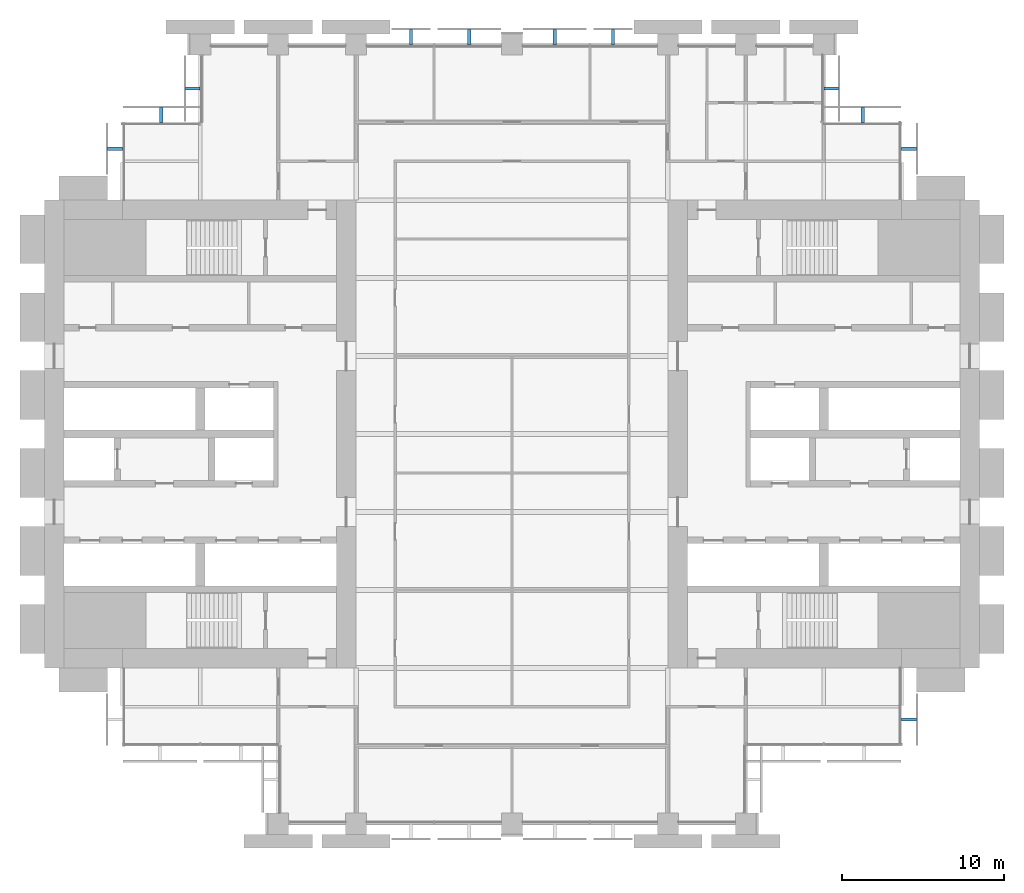
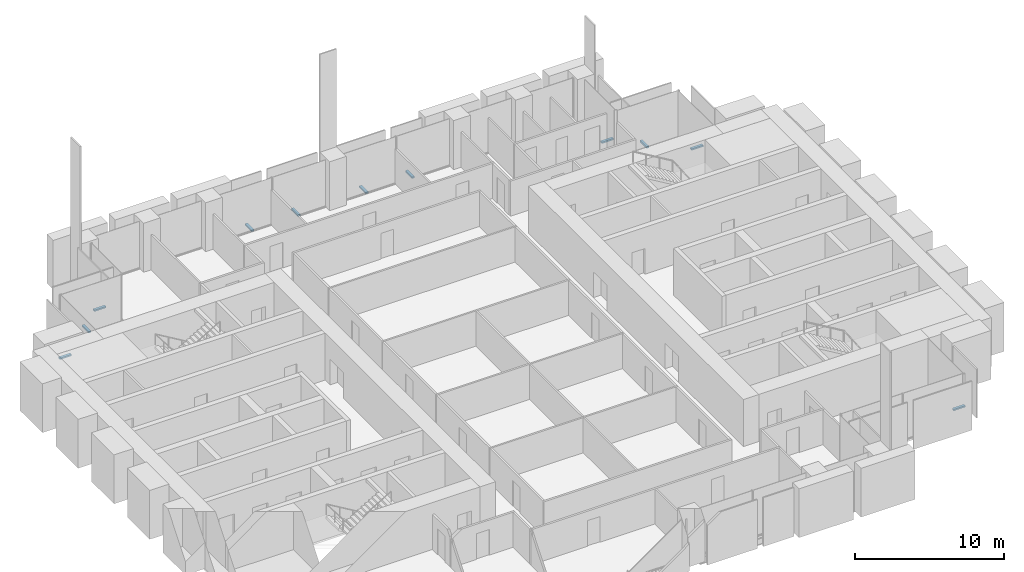
# One storey, part 13 of 14: 11 discrete accessories.
"""IFC4 building model written with IfcOpenShell, lengths in metres."""

from ifc_helpers import new_model, si_unit, direction, frame, origin, origin_2d, place, context, subcontext, project, spatial, rectangle, extrude, material, type_object, element, save


model = new_model("IFC4")

# Units and contexts
model_context = context("Model", 3, precision=1e-05, world=origin(), true_north=direction((0.0, 1.0)))
body_context = subcontext(model_context, "Body", "Model", "MODEL_VIEW")
ifc_project = project(units=[si_unit("LENGTHUNIT", "METRE"), si_unit("AREAUNIT", "SQUARE_METRE"), si_unit("VOLUMEUNIT", "CUBIC_METRE"), si_unit("PLANEANGLEUNIT", "RADIAN"), si_unit("MASSUNIT", "GRAM", prefix="KILO")], contexts=[model_context])

# Site, building, storey
site_placement = place(None, origin())
site = spatial("IfcSite", under=ifc_project, at=site_placement, CompositionType="ELEMENT")
building_placement = place(site_placement, origin())
building = spatial("IfcBuilding", under=site, at=building_placement, Name="Baori Bourse Tower", CompositionType="ELEMENT")
storey_placement = place(building_placement, frame((0.0, 0.0, 75.0)))
storey = spatial("IfcBuildingStorey", under=building, at=storey_placement, Name="L16", CompositionType="ELEMENT", Elevation=75.0)

# Discrete accessories
ifc_material = material(Name="Pale anodised aluminium", Category="aluminium")
discrete_accessory_type = type_object("IfcDiscreteAccessoryType", Name="OS2 Outer skin bracket", PredefinedType="BRACKET", material=ifc_material)
for number, where, z_axis, x_axis, name in (
    (1, (53.25, 41.574951171875, -0.14404296875), (0.0, 0.0, 1.0), (0.0, 1.0, 0.0), "Outer skin bracket L16 1"),
    (2, (50.39990234375, 43.64990234375, -0.14404296875), (0.0, 0.0, 1.0), (-1.0, 0.0, 0.0), "Outer skin bracket L16 2"),
    (3, (48.449951171875, 45.27490234375, -0.14404296875), (0.0, 0.0, 1.0), (0.0, 1.0, 0.0), "Outer skin bracket L16 3"),
    (4, (35.012451171875, 48.449951171875, -0.14404296875), (0.0, 0.0, 1.0), (-1.0, 0.0, 0.0), "Outer skin bracket L16 4"),
    (5, (31.4375, 48.449951171875, -0.14404296875), (0.0, 0.0, 1.0), (-1.0, 0.0, 0.0), "Outer skin bracket L16 5"),
    (6, (26.16259765625, 48.449951171875, -0.14404296875), (0.0, 0.0, 1.0), (-1.0, 0.0, 0.0), "Outer skin bracket L16 6"),
    (7, (22.58740234375, 48.449951171875, -0.14404296875), (0.0, 0.0, 1.0), (-1.0, 0.0, 0.0), "Outer skin bracket L16 7"),
    (8, (9.14990234375, 45.27490234375, -0.14404296875), (0.0, 0.0, 1.0), (0.0, -1.0, 0.0), "Outer skin bracket L16 8"),
    (9, (7.199951171875, 43.64990234375, -0.14404296875), (0.0, 0.0, 1.0), (-1.0, 0.0, 0.0), "Outer skin bracket L16 9"),
    (10, (4.35009765625, 41.574951171875, -0.14404296875), (0.0, 0.0, 1.0), (0.0, -1.0, 0.0), "Outer skin bracket L16 10"),
    (11, (53.25, 6.425048828125, -0.14404296875), (0.0, 0.0, 1.0), (0.0, 1.0, 0.0), "Outer skin bracket L16 22"),
):
    element("IfcDiscreteAccessory", number, at=place(storey_placement, frame(where, z_axis=z_axis, x_axis=x_axis)), inside=storey, type_object=discrete_accessory_type, Name=name, PredefinedType="BRACKET", context=body_context, shape_type="SweptSolid", body=[
        extrude(rectangle(XDim=0.199951171875, YDim=0.89990234375, at=origin_2d()), origin(), (0.0, 0.0, 1.0), 0.1279296875),
    ])

save(model, "model.ifc")
